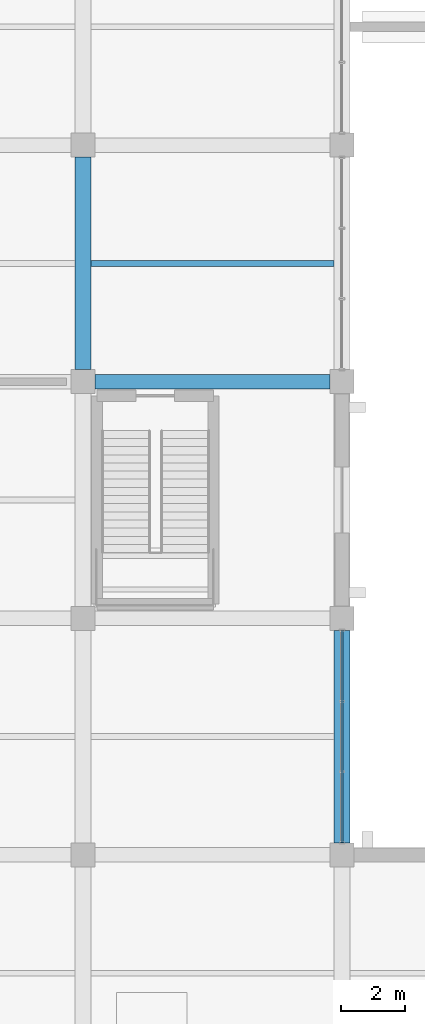
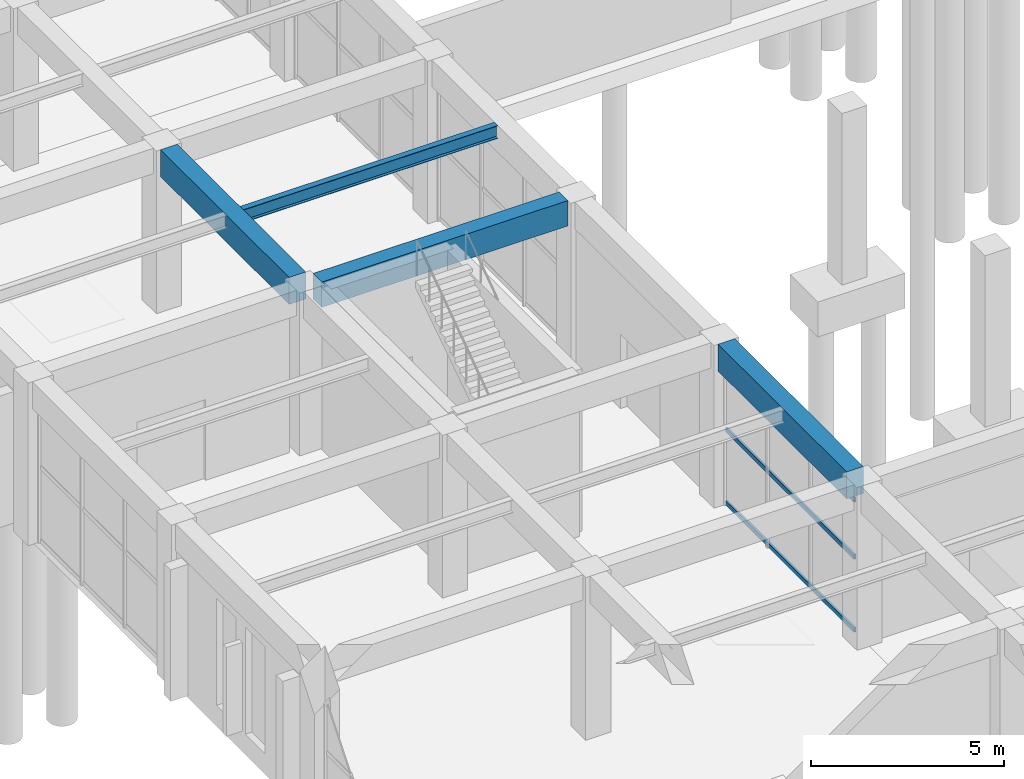
# One storey, part 25 of 140: 4 beams, 3 members, 1 element without a shape of its own.
"""IFC4 building model written with IfcOpenShell, lengths in metres."""

from ifc_helpers import new_model, si_unit, direction, frame, origin, origin_2d, place, context, subcontext, project, spatial, rectangle, hollow_rectangle, i_section, extrude, material, material_profile, profile_set, type_object, element, aggregate, save


model = new_model("IFC4")

# Units and contexts
model_context = context("Model", 3, precision=1e-05, world=origin(), true_north=direction((0.0, 1.0)))
body_context = subcontext(model_context, "Body", "Model", "MODEL_VIEW")
ifc_project = project(units=[si_unit("LENGTHUNIT", "METRE"), si_unit("AREAUNIT", "SQUARE_METRE"), si_unit("VOLUMEUNIT", "CUBIC_METRE"), si_unit("PLANEANGLEUNIT", "RADIAN"), si_unit("MASSUNIT", "GRAM", prefix="KILO")], contexts=[model_context])

# Site, building, storey
site_placement = place(None, origin())
site = spatial("IfcSite", under=ifc_project, at=site_placement, CompositionType="ELEMENT")
building_placement = place(site_placement, origin())
building = spatial("IfcBuilding", under=site, at=building_placement, Name="Cimatlan Art Gallery", CompositionType="ELEMENT")
storey_placement = place(building_placement, origin())
storey = spatial("IfcBuildingStorey", under=building, at=storey_placement, Name="L00", CompositionType="ELEMENT", Elevation=0.0)

# Beams
ifc_material_1 = material(Name="Concrete C40/50", Category="concrete")
ifc_material_profile_1 = material_profile(ifc_material_1, rectangle(XDim=0.449951171875, YDim=0.800048828125, at=origin_2d()), Name="RC450X800")
ifc_profile_set_1 = profile_set([ifc_material_profile_1], Name="Concrete C40/50")
beam_type_1 = type_object("IfcBeamType", Name="BM-RC-450X800", PredefinedType="BEAM", material=ifc_profile_set_1)
beam_1_placement = place(storey_placement, frame((42.875, 60.89990234375, 4.735107421875), z_axis=(1.0, 0.0, 0.0), x_axis=(0.0, 1.0, 0.0)))
element("IfcBeam", 1, at=beam_1_placement, inside=storey, type_object=beam_type_1, Name="BM-X-L00-05-08", PredefinedType="BEAM", context=body_context, shape_type="SweptSolid", body=[
    extrude(rectangle(XDim=0.449951171875, YDim=0.800048828125, at=origin_2d()), origin(), (0.0, 0.0, 1.0), 7.35009765625),
])
ifc_material_profile_2 = material_profile(ifc_material_1, rectangle(XDim=0.5, YDim=0.85009765625, at=origin_2d()), Name="RC500X850")
ifc_profile_set_2 = profile_set([ifc_material_profile_2], Name="Concrete C40/50")
beam_type_2 = type_object("IfcBeamType", Name="BM-RC-500X850", PredefinedType="BEAM", material=ifc_profile_set_2)
beam_2_placement = place(storey_placement, frame((42.5, 61.27490234375, 4.7099609375), z_axis=(0.0, 1.0, 0.0), x_axis=(-1.0, 0.0, 0.0)))
element("IfcBeam", 2, at=beam_2_placement, inside=storey, type_object=beam_type_2, Name="BM-Y-L00-05-08", PredefinedType="BEAM", context=body_context, shape_type="SweptSolid", body=[
    extrude(rectangle(XDim=0.5, YDim=0.85009765625, at=origin_2d()), origin(), (0.0, 0.0, 1.0), 6.650146484375),
])
beam_3_placement = place(storey_placement, frame((50.60009765625, 46.47509765625, 4.7099609375), z_axis=(0.0, 1.0, 0.0), x_axis=(-1.0, 0.0, 0.0)))
element("IfcBeam", 3, at=beam_3_placement, inside=storey, type_object=beam_type_2, Name="BM-Y-L00-06-06", PredefinedType="BEAM", context=body_context, shape_type="SweptSolid", body=[
    extrude(rectangle(XDim=0.5, YDim=0.85009765625, at=origin_2d()), origin(), (0.0, 0.0, 1.0), 6.64990234375),
])
ifc_material_2 = material(Name="Steel ASTM A992 Grade 50", Category="steel")
ifc_material_profile_3 = material_profile(ifc_material_2, i_section(OverallWidth=0.177978515625, OverallDepth=0.406982421875, WebThickness=0.0078125, FlangeThickness=0.0126953125, at=origin_2d()), Name="W16X40")
ifc_profile_set_3 = profile_set([ifc_material_profile_3], Name="Steel ASTM A992 Grade 50")
beam_type_3 = type_object("IfcBeamType", Name="BM-STL-W16X40", PredefinedType="JOIST", material=ifc_profile_set_3)
beam_4_placement = place(storey_placement, frame((42.75, 64.60009765625, 4.931396484375), z_axis=(1.0, 0.0, 0.0), x_axis=(0.0, 1.0, 0.0)))
element("IfcBeam", 4, at=beam_4_placement, inside=storey, type_object=beam_type_3, Name="JST-L00-05-08", PredefinedType="JOIST", context=body_context, shape_type="SweptSolid", body=[
    extrude(i_section(OverallWidth=0.177978515625, OverallDepth=0.406982421875, WebThickness=0.0078125, FlangeThickness=0.0126953125, at=origin_2d()), origin(), (0.0, 0.0, 1.0), 7.60009765625),
])

# Curtain wall, members
ifc_material_3 = material(Name="Anodised bronze unitised curtain wall")
curtain_wall_type = type_object("IfcCurtainWallType", Name="CW-V-06642X04225-B3", PredefinedType="NOTDEFINED", material=ifc_material_3)
curtain_wall_placement = place(storey_placement, origin())
curtain_wall = element("IfcCurtainWall", 5, at=curtain_wall_placement, inside=storey, type_object=curtain_wall_type, Name="CW-L00-05-06-E", PredefinedType="NOTDEFINED")
ifc_material_4 = material(Name="Anodised bronze aluminium 6063-T6", Category="aluminium")
ifc_material_profile_4 = material_profile(ifc_material_4, hollow_rectangle(XDim=0.06494140625, YDim=0.139892578125, WallThickness=0.00390625, at=origin_2d()), Name="ALU65X140X4")
ifc_profile_set_4 = profile_set([ifc_material_profile_4], Name="Anodised bronze aluminium 6063-T6")
member_type = type_object("IfcMemberType", Name="CW-TRN-140", PredefinedType="USERDEFINED", material=ifc_profile_set_4)
member_1_placement = place(storey_placement, frame((50.60009765625, 53.12109375, 0.06005859375), z_axis=(0.0, -1.0, 0.0), x_axis=(1.0, 0.0, 0.0)))
member_1 = element("IfcMember", 6, at=member_1_placement, type_object=member_type, Name="CW-L00-05-06-E-T1", ObjectType="TRANSOM", PredefinedType="USERDEFINED", context=body_context, shape_type="SweptSolid", body=[
    extrude(hollow_rectangle(XDim=0.06494140625, YDim=0.139892578125, WallThickness=0.00390625, at=origin_2d()), origin(), (0.0, 0.0, 1.0), 6.64208984375),
])
member_2_placement = place(storey_placement, frame((50.60009765625, 53.12109375, 2.365966796875), z_axis=(0.0, -1.0, 0.0), x_axis=(1.0, 0.0, 0.0)))
member_2 = element("IfcMember", 7, at=member_2_placement, type_object=member_type, Name="CW-L00-05-06-E-T2", ObjectType="TRANSOM", PredefinedType="USERDEFINED", context=body_context, shape_type="SweptSolid", body=[
    extrude(hollow_rectangle(XDim=0.06494140625, YDim=0.139892578125, WallThickness=0.00390625, at=origin_2d()), origin(), (0.0, 0.0, 1.0), 6.64208984375),
])
member_3_placement = place(storey_placement, frame((50.60009765625, 53.12109375, 4.1650390625), z_axis=(0.0, -1.0, 0.0), x_axis=(1.0, 0.0, 0.0)))
member_3 = element("IfcMember", 8, at=member_3_placement, type_object=member_type, Name="CW-L00-05-06-E-T3", ObjectType="TRANSOM", PredefinedType="USERDEFINED", context=body_context, shape_type="SweptSolid", body=[
    extrude(hollow_rectangle(XDim=0.06494140625, YDim=0.139892578125, WallThickness=0.00390625, at=origin_2d()), origin(), (0.0, 0.0, 1.0), 6.64208984375),
])
aggregate(curtain_wall, [member_1, member_2, member_3])

save(model, "model.ifc")
